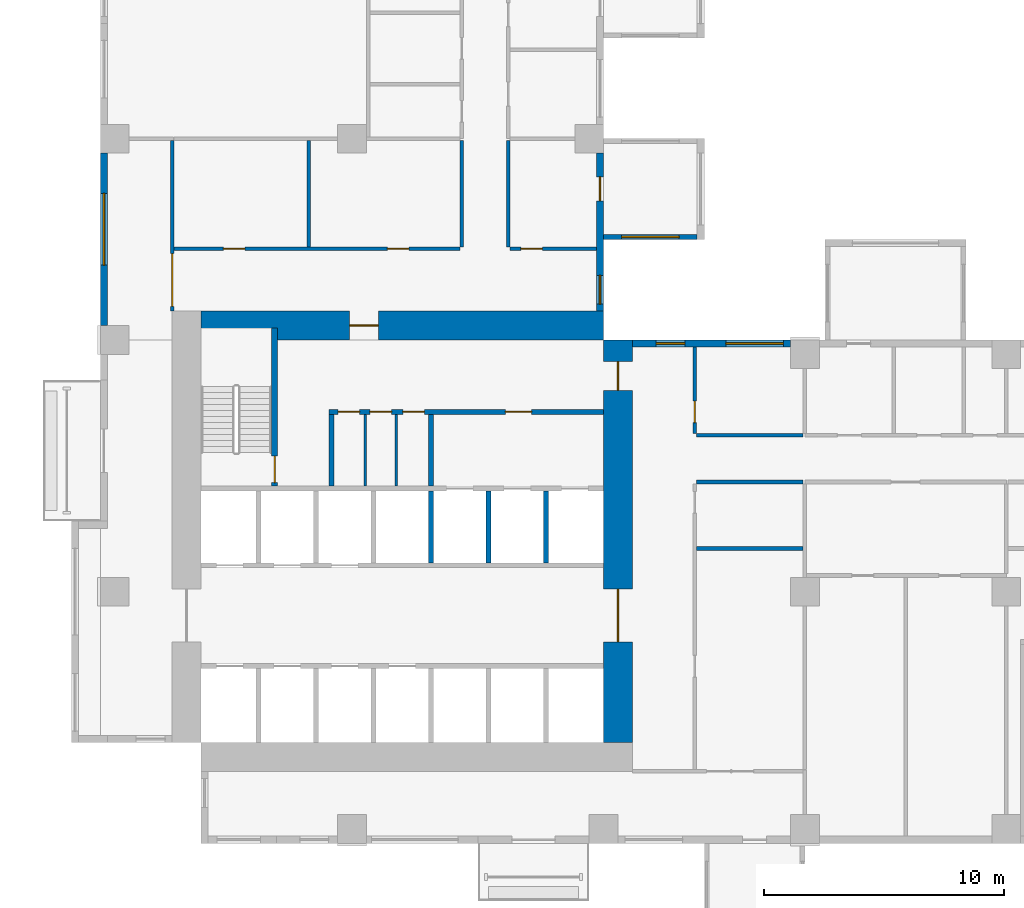
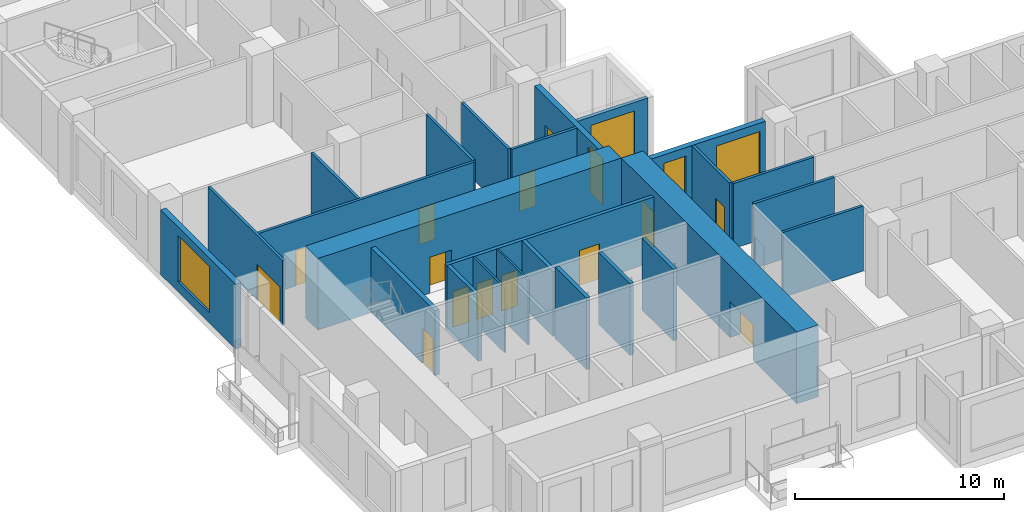
# One storey, part 3 of 15: 25 walls, 14 doors, 5 windows, 19 openings.
"""IFC4 building model written with IfcOpenShell, lengths in metres."""

from ifc_helpers import new_model, si_unit, direction, frame, frame_2d, origin, place, context, subcontext, project, spatial, rectangle, extrude, source, transform, mapped, material, layer, layer_set, type_object, element, fill, save


model = new_model("IFC4")

# Units and contexts
model_context = context("Model", 3, precision=1e-05, world=origin(), true_north=direction((0.0, 1.0)))
body_context = subcontext(model_context, "Body", "Model", "MODEL_VIEW")
ifc_project = project(units=[si_unit("LENGTHUNIT", "METRE"), si_unit("AREAUNIT", "SQUARE_METRE"), si_unit("VOLUMEUNIT", "CUBIC_METRE"), si_unit("PLANEANGLEUNIT", "RADIAN"), si_unit("MASSUNIT", "GRAM", prefix="KILO")], contexts=[model_context])

# Site, building, storey
site_placement = place(None, origin())
site = spatial("IfcSite", under=ifc_project, at=site_placement, CompositionType="ELEMENT")
building_placement = place(site_placement, origin())
building = spatial("IfcBuilding", under=site, at=building_placement, Name="Aurelian Terraces", CompositionType="ELEMENT")
storey_placement = place(building_placement, frame((0.0, 0.0, 65.7)))
storey = spatial("IfcBuildingStorey", under=building, at=storey_placement, Name="L13", CompositionType="ELEMENT", Elevation=65.7)

# Wall
ifc_material_1 = material(Name="Gypsum board on steel studs", Category="steel")
ifc_layer_1 = layer(ifc_material_1, 0.15)
ifc_layer_set_1 = layer_set([ifc_layer_1], Name="Partition 150")
wall_type_1 = type_object("IfcWallType", Name="Partition 150", PredefinedType="PARTITIONING", material=ifc_layer_set_1)
wall_1_placement = place(storey_placement, frame((29.325, 12.3, 0.0), z_axis=(0.0, 0.0, 1.0), x_axis=(-1.0, 0.0, 0.0)))
element("IfcWall", 1, at=wall_1_placement, inside=storey, type_object=wall_type_1, Name="Partition", PredefinedType="PARTITIONING", context=body_context, shape_type="SweptSolid", body=[
    extrude(rectangle(XDim=4.45, YDim=0.15, at=frame_2d((2.225, 0.0))), origin(), (0.0, 0.0, 1.0), 3.8),
])

# Wall, openings, doors
ifc_material_2 = material(Name="Concrete fc' 83 MPa", Category="concrete")
ifc_layer_2 = layer(ifc_material_2, 1.2)
ifc_layer_set_2 = layer_set([ifc_layer_2], Name="CORE WALL 1200 FC83")
wall_type_2 = type_object("IfcWallType", Name="CORE WALL 1200 FC83", PredefinedType="SHEAR", material=ifc_layer_set_2)
shared_shape_1 = source(origin(), body_context, "Body", "SweptSolid", [
    extrude(rectangle(XDim=16.8, YDim=1.2, at=frame_2d((8.4, 0.0))), origin(), (0.0, 0.0, 1.0), 4.2),
])
wall_2_placement = place(storey_placement, frame((21.6, 4.2, 0.0), z_axis=(0.0, 0.0, 1.0), x_axis=(0.0, 1.0, 0.0)))
wall_2 = element("IfcWall", 2, at=wall_2_placement, inside=storey, type_object=wall_type_2, Name="Core wall E L13", PredefinedType="SHEAR", context=body_context, shape_type="MappedRepresentation", body=[
    mapped(shared_shape_1, transform((0.0, 0.0, 0.0), scale=1.0)),
])
shared_shape_2 = source(origin(), body_context, "Body", "SweptSolid", [
    extrude(rectangle(XDim=2.2, YDim=2.1, at=frame_2d((1.1, 1.05))), frame((0.0, 0.61, 0.0), z_axis=(0.0, -1.0, 0.0), x_axis=(1.0, 0.0, 0.0)), (0.0, 0.0, 1.0), 1.22),
])
opening_1_placement = place(wall_2_placement, frame((4.2, 0.0, 0.0)))
opening_1 = element("IfcOpeningElement", 3, at=opening_1_placement, cuts=wall_2, Name="Opening 61621", PredefinedType="OPENING", context=body_context, shape_type="MappedRepresentation", body=[
    mapped(shared_shape_2, transform((0.0, 0.0, 0.0), scale=1.0)),
])
shared_shape_3 = source(origin(), body_context, "Body", "SweptSolid", [
    extrude(rectangle(XDim=1.2, YDim=2.1, at=frame_2d((0.6, 1.05))), frame((0.0, 0.61, 0.0), z_axis=(0.0, -1.0, 0.0), x_axis=(1.0, 0.0, 0.0)), (0.0, 0.0, 1.0), 1.22),
])
opening_2_placement = place(wall_2_placement, frame((14.7, 0.0, 0.0)))
opening_2 = element("IfcOpeningElement", 4, at=opening_2_placement, cuts=wall_2, Name="Opening 61624", PredefinedType="OPENING", context=body_context, shape_type="MappedRepresentation", body=[
    mapped(shared_shape_3, transform((0.0, 0.0, 0.0), scale=1.0)),
])
ifc_material_3 = material(Name="Steel door leaf", Category="steel")
door_type_1 = type_object("IfcDoorType", Name="Core fire door 1200x2100 right", OperationType="SINGLE_SWING_RIGHT", PredefinedType="DOOR", material=ifc_material_3)
shared_shape_4 = source(origin(), body_context, "Body", "SweptSolid", [
    extrude(rectangle(XDim=1.2, YDim=2.1, at=frame_2d((0.6, 1.05))), frame((0.0, 0.025, 0.0), z_axis=(0.0, -1.0, 0.0), x_axis=(1.0, 0.0, 0.0)), (0.0, 0.0, 1.0), 0.05),
])
door_1_placement = place(opening_2_placement, origin())
door_1 = element("IfcDoor", 5, at=door_1_placement, inside=storey, type_object=door_type_1, Name="Core door 61624", OperationType="SINGLE_SWING_RIGHT", OverallHeight=2.1, OverallWidth=1.2, PredefinedType="DOOR", context=body_context, shape_type="MappedRepresentation", body=[
    mapped(shared_shape_4, transform((0.0, 0.0, 0.0), scale=1.0)),
])
fill(opening_2, door_1)
door_type_2 = type_object("IfcDoorType", Name="Core double door 2200x2100", OperationType="DOUBLE_DOOR_SINGLE_SWING", PredefinedType="DOOR", material=ifc_material_3)
shared_shape_5 = source(origin(), body_context, "Body", "SweptSolid", [
    extrude(rectangle(XDim=2.2, YDim=2.1, at=frame_2d((1.1, 1.05))), frame((0.0, 0.025, 0.0), z_axis=(0.0, -1.0, 0.0), x_axis=(1.0, 0.0, 0.0)), (0.0, 0.0, 1.0), 0.05),
])
door_2_placement = place(opening_1_placement, origin())
door_2 = element("IfcDoor", 6, at=door_2_placement, inside=storey, type_object=door_type_2, Name="Core door 61621", OperationType="DOUBLE_DOOR_SINGLE_SWING", OverallHeight=2.1, OverallWidth=2.2, PredefinedType="DOOR", context=body_context, shape_type="MappedRepresentation", body=[
    mapped(shared_shape_5, transform((0.0, 0.0, 0.0), scale=1.0)),
])
fill(opening_1, door_2)

# Wall, opening, door
wall_3_placement = place(storey_placement, frame((4.2, 21.6, 0.0), z_axis=(0.0, 0.0, 1.0), x_axis=(1.0, 0.0, 0.0)))
wall_3 = element("IfcWall", 7, at=wall_3_placement, inside=storey, type_object=wall_type_2, Name="Core wall N L13", PredefinedType="SHEAR", context=body_context, shape_type="MappedRepresentation", body=[
    mapped(shared_shape_1, transform((0.0, 0.0, 0.0), scale=1.0)),
])
opening_3_placement = place(wall_3_placement, frame((6.2, 0.0, 0.0)))
opening_3 = element("IfcOpeningElement", 8, at=opening_3_placement, cuts=wall_3, Name="Opening 61623", PredefinedType="OPENING", context=body_context, shape_type="MappedRepresentation", body=[
    mapped(shared_shape_3, transform((0.0, 0.0, 0.0), scale=1.0)),
])
door_type_3 = type_object("IfcDoorType", Name="Core fire door 1200x2100", OperationType="SINGLE_SWING_LEFT", PredefinedType="DOOR", material=ifc_material_3)
door_3_placement = place(opening_3_placement, origin())
door_3 = element("IfcDoor", 9, at=door_3_placement, inside=storey, type_object=door_type_3, Name="Core door 61623", OperationType="SINGLE_SWING_LEFT", OverallHeight=2.1, OverallWidth=1.2, PredefinedType="DOOR", context=body_context, shape_type="MappedRepresentation", body=[
    mapped(shared_shape_4, transform((0.0, 0.0, 0.0), scale=1.0)),
])
fill(opening_3, door_3)

# Wall, opening, window
ifc_material_4 = material(Name="Terracotta rainscreen cladding", Category="masonry")
ifc_layer_3 = layer(ifc_material_4, 0.3)
ifc_layer_set_3 = layer_set([ifc_layer_3], Name="EW-300")
wall_type_3 = type_object("IfcWallType", Name="EW-300", PredefinedType="STANDARD", material=ifc_layer_set_3)
shared_shape_6 = source(origin(), body_context, "Body", "SweptSolid", [
    extrude(rectangle(XDim=7.2, YDim=0.3, at=frame_2d((3.6, 0.0))), origin(), (0.0, 0.0, 1.0), 3.8),
])
wall_4_placement = place(storey_placement, frame((0.15, 28.8, 0.0), z_axis=(0.0, 0.0, 1.0), x_axis=(0.0, -1.0, 0.0)))
wall_4 = element("IfcWall", 10, at=wall_4_placement, inside=storey, type_object=wall_type_3, Name="External wall L13 F14.38", PredefinedType="STANDARD", context=body_context, shape_type="MappedRepresentation", body=[
    mapped(shared_shape_6, transform((0.0, 0.0, 0.0), scale=1.0)),
])
shared_shape_7 = source(origin(), body_context, "Body", "SweptSolid", [
    extrude(rectangle(XDim=3.0, YDim=2.7, at=frame_2d((1.5, 1.35))), frame((0.0, 0.16, 0.0), z_axis=(0.0, -1.0, 0.0), x_axis=(1.0, 0.0, 0.0)), (0.0, 0.0, 1.0), 0.32),
])
opening_4_placement = place(wall_4_placement, frame((1.68, 0.0, 0.6)))
opening_4 = element("IfcOpeningElement", 11, at=opening_4_placement, cuts=wall_4, Name="Opening W3027", PredefinedType="OPENING", context=body_context, shape_type="MappedRepresentation", body=[
    mapped(shared_shape_7, transform((0.0, 0.0, 0.0), scale=1.0)),
])
ifc_material_5 = material(Name="Clear glazing", Category="glass")
window_type_1 = type_object("IfcWindowType", Name="W-3000x2700", PartitioningType="SINGLE_PANEL", PredefinedType="WINDOW", material=ifc_material_5)
shared_shape_8 = source(origin(), body_context, "Body", "SweptSolid", [
    extrude(rectangle(XDim=3.0, YDim=2.7, at=frame_2d((1.5, 1.35))), frame((0.0, 0.03, 0.0), z_axis=(0.0, -1.0, 0.0), x_axis=(1.0, 0.0, 0.0)), (0.0, 0.0, 1.0), 0.06),
])
window_1_placement = place(opening_4_placement, origin())
window_1 = element("IfcWindow", 12, at=window_1_placement, inside=storey, type_object=window_type_1, Name="Window L13 L13-F14-38-8", OverallHeight=2.7, OverallWidth=3.0, PartitioningType="SINGLE_PANEL", PredefinedType="WINDOW", context=body_context, shape_type="MappedRepresentation", body=[
    mapped(shared_shape_8, transform((0.0, 0.0, 0.0), scale=1.0)),
])
fill(opening_4, window_1)

ifc_material_6 = material(Name="Concrete fc' 40 MPa", Category="concrete")
ifc_layer_4 = layer(ifc_material_6, 0.2)
ifc_layer_set_4 = layer_set([ifc_layer_4], Name="BOX BEARING WALL 200")
wall_type_4 = type_object("IfcWallType", Name="BOX BEARING WALL 200", PredefinedType="SOLIDWALL", material=ifc_layer_set_4)
shared_shape_9 = source(origin(), body_context, "Body", "SweptSolid", [
    extrude(rectangle(XDim=3.9, YDim=0.2, at=frame_2d((1.95, 0.0))), origin(), (0.0, 0.0, 1.0), 3.8),
])
wall_5_placement = place(storey_placement, frame((21.0, 25.3, 0.0), z_axis=(0.0, 0.0, 1.0), x_axis=(1.0, 0.0, 0.0)))
wall_5 = element("IfcWall", 13, at=wall_5_placement, inside=storey, type_object=wall_type_4, Name="Box return L13 J11.1", PredefinedType="SOLIDWALL", context=body_context, shape_type="MappedRepresentation", body=[
    mapped(shared_shape_9, transform((0.0, 0.0, 0.0), scale=1.0)),
])
shared_shape_10 = source(origin(), body_context, "Body", "SweptSolid", [
    extrude(rectangle(XDim=2.4, YDim=2.7, at=frame_2d((1.2, 1.35))), frame((0.0, 0.11, 0.0), z_axis=(0.0, -1.0, 0.0), x_axis=(1.0, 0.0, 0.0)), (0.0, 0.0, 1.0), 0.22),
])
opening_5_placement = place(wall_5_placement, frame((0.75, 0.0, 0.6)))
opening_5 = element("IfcOpeningElement", 14, at=opening_5_placement, cuts=wall_5, Name="Opening W2427", PredefinedType="OPENING", context=body_context, shape_type="MappedRepresentation", body=[
    mapped(shared_shape_10, transform((0.0, 0.0, 0.0), scale=1.0)),
])
window_type_2 = type_object("IfcWindowType", Name="W-2400x2700", PartitioningType="SINGLE_PANEL", PredefinedType="WINDOW", material=ifc_material_5)
shared_shape_11 = source(origin(), body_context, "Body", "SweptSolid", [
    extrude(rectangle(XDim=2.4, YDim=2.7, at=frame_2d((1.2, 1.35))), frame((0.0, 0.03, 0.0), z_axis=(0.0, -1.0, 0.0), x_axis=(1.0, 0.0, 0.0)), (0.0, 0.0, 1.0), 0.06),
])
window_2_placement = place(opening_5_placement, origin())
window_2 = element("IfcWindow", 15, at=window_2_placement, inside=storey, type_object=window_type_2, Name="Window L13 J11-S1", OverallHeight=2.7, OverallWidth=2.4, PartitioningType="SINGLE_PANEL", PredefinedType="WINDOW", context=body_context, shape_type="MappedRepresentation", body=[
    mapped(shared_shape_11, transform((0.0, 0.0, 0.0), scale=1.0)),
])
fill(opening_5, window_2)

# Wall, openings, windows
shared_shape_12 = source(origin(), body_context, "Body", "SweptSolid", [
    extrude(rectangle(XDim=6.6, YDim=0.3, at=frame_2d((3.3, 0.0))), origin(), (0.0, 0.0, 1.0), 3.8),
])
wall_6_placement = place(storey_placement, frame((28.8, 20.85, 0.0), z_axis=(0.0, 0.0, 1.0), x_axis=(-1.0, 0.0, 0.0)))
wall_6 = element("IfcWall", 16, at=wall_6_placement, inside=storey, type_object=wall_type_3, Name="External wall L13 F07.23", PredefinedType="STANDARD", context=body_context, shape_type="MappedRepresentation", body=[
    mapped(shared_shape_12, transform((0.0, 0.0, 0.0), scale=1.0)),
])
shared_shape_13 = source(origin(), body_context, "Body", "SweptSolid", [
    extrude(rectangle(XDim=2.4, YDim=2.7, at=frame_2d((1.2, 1.35))), frame((0.0, 0.16, 0.0), z_axis=(0.0, -1.0, 0.0), x_axis=(1.0, 0.0, 0.0)), (0.0, 0.0, 1.0), 0.32),
])
opening_6_placement = place(wall_6_placement, frame((0.3, 0.0, 0.6)))
opening_6 = element("IfcOpeningElement", 17, at=opening_6_placement, cuts=wall_6, Name="Opening W2427", PredefinedType="OPENING", context=body_context, shape_type="MappedRepresentation", body=[
    mapped(shared_shape_13, transform((0.0, 0.0, 0.0), scale=1.0)),
])
shared_shape_14 = source(origin(), body_context, "Body", "SweptSolid", [
    extrude(rectangle(XDim=1.2, YDim=2.7, at=frame_2d((0.6, 1.35))), frame((0.0, 0.16, 0.0), z_axis=(0.0, -1.0, 0.0), x_axis=(1.0, 0.0, 0.0)), (0.0, 0.0, 1.0), 0.32),
])
opening_7_placement = place(wall_6_placement, frame((4.4125, 0.0, 0.6)))
opening_7 = element("IfcOpeningElement", 18, at=opening_7_placement, cuts=wall_6, Name="Opening W1227", PredefinedType="OPENING", context=body_context, shape_type="MappedRepresentation", body=[
    mapped(shared_shape_14, transform((0.0, 0.0, 0.0), scale=1.0)),
])
window_3_placement = place(opening_6_placement, origin())
window_3 = element("IfcWindow", 19, at=window_3_placement, inside=storey, type_object=window_type_2, Name="Window L13 L13-F07-23-3", OverallHeight=2.7, OverallWidth=2.4, PartitioningType="SINGLE_PANEL", PredefinedType="WINDOW", context=body_context, shape_type="MappedRepresentation", body=[
    mapped(shared_shape_11, transform((0.0, 0.0, 0.0), scale=1.0)),
])
fill(opening_6, window_3)
window_type_3 = type_object("IfcWindowType", Name="W-1200x2700", PartitioningType="SINGLE_PANEL", PredefinedType="WINDOW", material=ifc_material_5)
shared_shape_15 = source(origin(), body_context, "Body", "SweptSolid", [
    extrude(rectangle(XDim=1.2, YDim=2.7, at=frame_2d((0.6, 1.35))), frame((0.0, 0.03, 0.0), z_axis=(0.0, -1.0, 0.0), x_axis=(1.0, 0.0, 0.0)), (0.0, 0.0, 1.0), 0.06),
])
window_4_placement = place(opening_7_placement, origin())
window_4 = element("IfcWindow", 20, at=window_4_placement, inside=storey, type_object=window_type_3, Name="Window L13 L13-F07-23-G2-201", OverallHeight=2.7, OverallWidth=1.2, PartitioningType="SINGLE_PANEL", PredefinedType="WINDOW", context=body_context, shape_type="MappedRepresentation", body=[
    mapped(shared_shape_15, transform((0.0, 0.0, 0.0), scale=1.0)),
])
fill(opening_7, window_4)

# Wall, openings, window, door
wall_7_placement = place(storey_placement, frame((20.85, 22.2, 0.0), z_axis=(0.0, 0.0, 1.0), x_axis=(0.0, 1.0, 0.0)))
wall_7 = element("IfcWall", 21, at=wall_7_placement, inside=storey, type_object=wall_type_3, Name="External wall L13 F08.24", PredefinedType="STANDARD", context=body_context, shape_type="MappedRepresentation", body=[
    mapped(shared_shape_12, transform((0.0, 0.0, 0.0), scale=1.0)),
])
opening_8_placement = place(wall_7_placement, frame((0.3, 0.0, 0.6)))
opening_8 = element("IfcOpeningElement", 22, at=opening_8_placement, cuts=wall_7, Name="Opening W1227", PredefinedType="OPENING", context=body_context, shape_type="MappedRepresentation", body=[
    mapped(shared_shape_14, transform((0.0, 0.0, 0.0), scale=1.0)),
])
shared_shape_16 = source(origin(), body_context, "Body", "SweptSolid", [
    extrude(rectangle(XDim=1.0, YDim=2.1, at=frame_2d((0.5, 1.05))), frame((0.0, 0.16, 0.0), z_axis=(0.0, -1.0, 0.0), x_axis=(1.0, 0.0, 0.0)), (0.0, 0.0, 1.0), 0.32),
])
opening_9_placement = place(wall_7_placement, frame((4.6, 0.0, 0.0)))
opening_9 = element("IfcOpeningElement", 23, at=opening_9_placement, cuts=wall_7, Name="Opening 813001", PredefinedType="OPENING", context=body_context, shape_type="MappedRepresentation", body=[
    mapped(shared_shape_16, transform((0.0, 0.0, 0.0), scale=1.0)),
])
window_5_placement = place(opening_8_placement, origin())
window_5 = element("IfcWindow", 24, at=window_5_placement, inside=storey, type_object=window_type_3, Name="Window L13 L13-F08-24-0", OverallHeight=2.7, OverallWidth=1.2, PartitioningType="SINGLE_PANEL", PredefinedType="WINDOW", context=body_context, shape_type="MappedRepresentation", body=[
    mapped(shared_shape_15, transform((0.0, 0.0, 0.0), scale=1.0)),
])
fill(opening_8, window_5)
ifc_material_7 = material(Name="Timber door leaf", Category="wood")
door_type_4 = type_object("IfcDoorType", Name="Room door 1000x2100 left", OperationType="SINGLE_SWING_LEFT", PredefinedType="DOOR", material=ifc_material_7)
shared_shape_17 = source(origin(), body_context, "Body", "SweptSolid", [
    extrude(rectangle(XDim=1.0, YDim=2.1, at=frame_2d((0.5, 1.05))), frame((0.0, 0.025, 0.0), z_axis=(0.0, -1.0, 0.0), x_axis=(1.0, 0.0, 0.0)), (0.0, 0.0, 1.0), 0.05),
])
door_4_placement = place(opening_9_placement, origin())
door_4 = element("IfcDoor", 25, at=door_4_placement, inside=storey, type_object=door_type_4, Name="Door 813001", OperationType="SINGLE_SWING_LEFT", OverallHeight=2.1, OverallWidth=1.0, PredefinedType="DOOR", context=body_context, shape_type="MappedRepresentation", body=[
    mapped(shared_shape_17, transform((0.0, 0.0, 0.0), scale=1.0)),
])
fill(opening_9, door_4)

# Walls
ifc_layer_5 = layer(ifc_material_6, 0.2)
ifc_layer_set_5 = layer_set([ifc_layer_5], Name="Lift shaft wall 200")
wall_type_5 = type_object("IfcWallType", Name="Lift shaft wall 200", PredefinedType="SOLIDWALL", material=ifc_layer_set_5)
shared_shape_18 = source(origin(), body_context, "Body", "SweptSolid", [
    extrude(rectangle(XDim=3.0, YDim=0.2, at=frame_2d((1.5, 0.0))), origin(), (0.0, 0.0, 1.0), 4.2),
])
for number, where, z_axis, x_axis, name in (
    (26, (13.8, 11.7, 0.0), (0.0, 0.0, 1.0), (0.0, 1.0, 0.0), "L13 core wall CD-B4"),
    (27, (16.2, 11.7, 0.0), (0.0, 0.0, 1.0), (0.0, 1.0, 0.0), "L13 core wall CD-B5"),
    (28, (18.6, 11.7, 0.0), (0.0, 0.0, 1.0), (0.0, 1.0, 0.0), "L13 core wall CD-B6"),
):
    element("IfcWall", number, at=place(storey_placement, frame(where, z_axis=z_axis, x_axis=x_axis)), inside=storey, type_object=wall_type_5, Name=name, PredefinedType="SOLIDWALL", context=body_context, shape_type="MappedRepresentation", body=[
        mapped(shared_shape_18, transform((0.0, 0.0, 0.0), scale=1.0)),
    ])
ifc_layer_6 = layer(ifc_material_1, 0.2)
ifc_layer_set_6 = layer_set([ifc_layer_6], Name="Core partition 200")
wall_type_6 = type_object("IfcWallType", Name="Core partition 200", PredefinedType="PARTITIONING", material=ifc_layer_set_6)
shared_shape_19 = source(origin(), body_context, "Body", "SweptSolid", [
    extrude(rectangle(XDim=3.0, YDim=0.2, at=frame_2d((1.5, 0.0))), origin(), (0.0, 0.0, 1.0), 3.8),
])
for number, where, z_axis, x_axis, name in (
    (29, (9.65, 14.9, 0.0), (0.0, 0.0, 1.0), (0.0, 1.0, 0.0), "L13 core wall CP-VEST"),
    (30, (13.8, 14.9, 0.0), (0.0, 0.0, 1.0), (0.0, 1.0, 0.0), "L13 core wall CP-FFL"),
):
    element("IfcWall", number, at=place(storey_placement, frame(where, z_axis=z_axis, x_axis=x_axis)), inside=storey, type_object=wall_type_6, Name=name, PredefinedType="PARTITIONING", context=body_context, shape_type="MappedRepresentation", body=[
        mapped(shared_shape_19, transform((0.0, 0.0, 0.0), scale=1.0)),
    ])
ifc_layer_7 = layer(ifc_material_1, 0.1)
ifc_layer_set_7 = layer_set([ifc_layer_7], Name="Core partition 100")
wall_type_7 = type_object("IfcWallType", Name="Core partition 100", PredefinedType="PARTITIONING", material=ifc_layer_set_7)
shared_shape_20 = source(origin(), body_context, "Body", "SweptSolid", [
    extrude(rectangle(XDim=3.0, YDim=0.1, at=frame_2d((1.5, 0.0))), origin(), (0.0, 0.0, 1.0), 3.8),
])
for number, where, z_axis, x_axis, name in (
    (31, (11.05, 14.9, 0.0), (0.0, 0.0, 1.0), (0.0, 1.0, 0.0), "L13 core wall CP-SV1"),
    (32, (12.35, 14.9, 0.0), (0.0, 0.0, 1.0), (0.0, 1.0, 0.0), "L13 core wall CP-SV2"),
):
    element("IfcWall", number, at=place(storey_placement, frame(where, z_axis=z_axis, x_axis=x_axis)), inside=storey, type_object=wall_type_7, Name=name, PredefinedType="PARTITIONING", context=body_context, shape_type="MappedRepresentation", body=[
        mapped(shared_shape_20, transform((0.0, 0.0, 0.0), scale=1.0)),
    ])

# Wall, opening, door
ifc_layer_8 = layer(ifc_material_6, 0.25)
ifc_layer_set_8 = layer_set([ifc_layer_8], Name="Stair enclosure wall 250")
wall_type_8 = type_object("IfcWallType", Name="Stair enclosure wall 250", PredefinedType="SOLIDWALL", material=ifc_layer_set_8)
shared_shape_21 = source(origin(), body_context, "Body", "SweptSolid", [
    extrude(rectangle(XDim=6.6, YDim=0.25, at=frame_2d((3.3, 0.0))), origin(), (0.0, 0.0, 1.0), 3.8),
])
wall_8_placement = place(storey_placement, frame((7.275, 14.9, 0.0), z_axis=(0.0, 0.0, 1.0), x_axis=(0.0, 1.0, 0.0)))
wall_8 = element("IfcWall", 33, at=wall_8_placement, inside=storey, type_object=wall_type_8, Name="L13 core wall ST-S1-E", PredefinedType="SOLIDWALL", context=body_context, shape_type="MappedRepresentation", body=[
    mapped(shared_shape_21, transform((0.0, 0.0, 0.0), scale=1.0)),
])
shared_shape_22 = source(origin(), body_context, "Body", "SweptSolid", [
    extrude(rectangle(XDim=1.1, YDim=2.1, at=frame_2d((0.55, 1.05))), frame((0.0, 0.135, 0.0), z_axis=(0.0, -1.0, 0.0), x_axis=(1.0, 0.0, 0.0)), (0.0, 0.0, 1.0), 0.27),
])
opening_10_placement = place(wall_8_placement, frame((0.15, 0.0, 0.0)))
opening_10 = element("IfcOpeningElement", 34, at=opening_10_placement, cuts=wall_8, Name="Opening 61610", PredefinedType="OPENING", context=body_context, shape_type="MappedRepresentation", body=[
    mapped(shared_shape_22, transform((0.0, 0.0, 0.0), scale=1.0)),
])
door_type_5 = type_object("IfcDoorType", Name="Core fire door 1100x2100", OperationType="SINGLE_SWING_LEFT", PredefinedType="DOOR", material=ifc_material_3)
shared_shape_23 = source(origin(), body_context, "Body", "SweptSolid", [
    extrude(rectangle(XDim=1.1, YDim=2.1, at=frame_2d((0.55, 1.05))), frame((0.0, 0.025, 0.0), z_axis=(0.0, -1.0, 0.0), x_axis=(1.0, 0.0, 0.0)), (0.0, 0.0, 1.0), 0.05),
])
door_5_placement = place(opening_10_placement, origin())
door_5 = element("IfcDoor", 35, at=door_5_placement, inside=storey, type_object=door_type_5, Name="Stair door 61610", OperationType="SINGLE_SWING_LEFT", OverallHeight=2.1, OverallWidth=1.1, PredefinedType="DOOR", context=body_context, shape_type="MappedRepresentation", body=[
    mapped(shared_shape_23, transform((0.0, 0.0, 0.0), scale=1.0)),
])
fill(opening_10, door_5)

# Wall, openings, doors
shared_shape_24 = source(origin(), body_context, "Body", "SweptSolid", [
    extrude(rectangle(XDim=11.45, YDim=0.2, at=frame_2d((5.725, 0.0))), origin(), (0.0, 0.0, 1.0), 3.8),
])
wall_9_placement = place(storey_placement, frame((9.55, 18.0, 0.0), z_axis=(0.0, 0.0, 1.0), x_axis=(1.0, 0.0, 0.0)))
wall_9 = element("IfcWall", 36, at=wall_9_placement, inside=storey, type_object=wall_type_6, Name="L13 core wall CP-NORTH", PredefinedType="PARTITIONING", context=body_context, shape_type="MappedRepresentation", body=[
    mapped(shared_shape_24, transform((0.0, 0.0, 0.0), scale=1.0)),
])
shared_shape_25 = source(origin(), body_context, "Body", "SweptSolid", [
    extrude(rectangle(XDim=0.9, YDim=2.1, at=frame_2d((0.45, 1.05))), frame((0.0, 0.11, 0.0), z_axis=(0.0, -1.0, 0.0), x_axis=(1.0, 0.0, 0.0)), (0.0, 0.0, 1.0), 0.22),
])
opening_11_placement = place(wall_9_placement, frame((0.375, 0.0, 0.0)))
opening_11 = element("IfcOpeningElement", 37, at=opening_11_placement, cuts=wall_9, Name="Opening 61611", PredefinedType="OPENING", context=body_context, shape_type="MappedRepresentation", body=[
    mapped(shared_shape_25, transform((0.0, 0.0, 0.0), scale=1.0)),
])
opening_12_placement = place(wall_9_placement, frame((1.7, 0.0, 0.0)))
opening_12 = element("IfcOpeningElement", 38, at=opening_12_placement, cuts=wall_9, Name="Opening 61612", PredefinedType="OPENING", context=body_context, shape_type="MappedRepresentation", body=[
    mapped(shared_shape_25, transform((0.0, 0.0, 0.0), scale=1.0)),
])
opening_13_placement = place(wall_9_placement, frame((3.075, 0.0, 0.0)))
opening_13 = element("IfcOpeningElement", 39, at=opening_13_placement, cuts=wall_9, Name="Opening 61613", PredefinedType="OPENING", context=body_context, shape_type="MappedRepresentation", body=[
    mapped(shared_shape_25, transform((0.0, 0.0, 0.0), scale=1.0)),
])
shared_shape_26 = source(origin(), body_context, "Body", "SweptSolid", [
    extrude(rectangle(XDim=1.1, YDim=2.1, at=frame_2d((0.55, 1.05))), frame((0.0, 0.11, 0.0), z_axis=(0.0, -1.0, 0.0), x_axis=(1.0, 0.0, 0.0)), (0.0, 0.0, 1.0), 0.22),
])
opening_14_placement = place(wall_9_placement, frame((7.35, 0.0, 0.0)))
opening_14 = element("IfcOpeningElement", 40, at=opening_14_placement, cuts=wall_9, Name="Opening 61614", PredefinedType="OPENING", context=body_context, shape_type="MappedRepresentation", body=[
    mapped(shared_shape_26, transform((0.0, 0.0, 0.0), scale=1.0)),
])
door_type_6 = type_object("IfcDoorType", Name="Core riser door 900x2100 right", OperationType="SINGLE_SWING_RIGHT", PredefinedType="DOOR", material=ifc_material_3)
shared_shape_27 = source(origin(), body_context, "Body", "SweptSolid", [
    extrude(rectangle(XDim=0.9, YDim=2.1, at=frame_2d((0.45, 1.05))), frame((0.0, 0.025, 0.0), z_axis=(0.0, -1.0, 0.0), x_axis=(1.0, 0.0, 0.0)), (0.0, 0.0, 1.0), 0.05),
])
door_6_placement = place(opening_11_placement, origin())
door_6 = element("IfcDoor", 41, at=door_6_placement, inside=storey, type_object=door_type_6, Name="Room door 61611", OperationType="SINGLE_SWING_RIGHT", OverallHeight=2.1, OverallWidth=0.9, PredefinedType="DOOR", context=body_context, shape_type="MappedRepresentation", body=[
    mapped(shared_shape_27, transform((0.0, 0.0, 0.0), scale=1.0)),
])
fill(opening_11, door_6)
door_type_7 = type_object("IfcDoorType", Name="Core service door 900x2100", OperationType="SINGLE_SWING_LEFT", PredefinedType="DOOR", material=ifc_material_3)
door_7_placement = place(opening_12_placement, origin())
door_7 = element("IfcDoor", 42, at=door_7_placement, inside=storey, type_object=door_type_7, Name="Room door 61612", OperationType="SINGLE_SWING_LEFT", OverallHeight=2.1, OverallWidth=0.9, PredefinedType="DOOR", context=body_context, shape_type="MappedRepresentation", body=[
    mapped(shared_shape_27, transform((0.0, 0.0, 0.0), scale=1.0)),
])
fill(opening_12, door_7)
door_type_8 = type_object("IfcDoorType", Name="Core service door 900x2100 right", OperationType="SINGLE_SWING_RIGHT", PredefinedType="DOOR", material=ifc_material_3)
door_8_placement = place(opening_13_placement, origin())
door_8 = element("IfcDoor", 43, at=door_8_placement, inside=storey, type_object=door_type_8, Name="Room door 61613", OperationType="SINGLE_SWING_RIGHT", OverallHeight=2.1, OverallWidth=0.9, PredefinedType="DOOR", context=body_context, shape_type="MappedRepresentation", body=[
    mapped(shared_shape_27, transform((0.0, 0.0, 0.0), scale=1.0)),
])
fill(opening_13, door_8)
door_9_placement = place(opening_14_placement, origin())
door_9 = element("IfcDoor", 44, at=door_9_placement, inside=storey, type_object=door_type_5, Name="Ff lobby door 61614", OperationType="SINGLE_SWING_LEFT", OverallHeight=2.1, OverallWidth=1.1, PredefinedType="DOOR", context=body_context, shape_type="MappedRepresentation", body=[
    mapped(shared_shape_23, transform((0.0, 0.0, 0.0), scale=1.0)),
])
fill(opening_14, door_9)

# Wall, opening, door
shared_shape_28 = source(origin(), body_context, "Body", "SweptSolid", [
    extrude(rectangle(XDim=3.6, YDim=0.15, at=frame_2d((1.8, 0.0))), origin(), (0.0, 0.0, 1.0), 3.8),
])
wall_10_placement = place(storey_placement, frame((24.8, 20.7, 0.0), z_axis=(0.0, 0.0, 1.0), x_axis=(0.0, -1.0, 0.0)))
wall_10 = element("IfcWall", 45, at=wall_10_placement, inside=storey, type_object=wall_type_1, Name="Partition", PredefinedType="PARTITIONING", context=body_context, shape_type="MappedRepresentation", body=[
    mapped(shared_shape_28, transform((0.0, 0.0, 0.0), scale=1.0)),
])
shared_shape_29 = source(origin(), body_context, "Body", "SweptSolid", [
    extrude(rectangle(XDim=0.9, YDim=2.1, at=frame_2d((0.45, 1.05))), frame((0.0, 0.085, 0.0), z_axis=(0.0, -1.0, 0.0), x_axis=(1.0, 0.0, 0.0)), (0.0, 0.0, 1.0), 0.17),
])
opening_15_placement = place(wall_10_placement, frame((2.25, 0.0, 0.0)))
opening_15 = element("IfcOpeningElement", 46, at=opening_15_placement, cuts=wall_10, Name="Opening 713003", PredefinedType="OPENING", context=body_context, shape_type="MappedRepresentation", body=[
    mapped(shared_shape_29, transform((0.0, 0.0, 0.0), scale=1.0)),
])
door_type_9 = type_object("IfcDoorType", Name="Room door 900x2100 right", OperationType="SINGLE_SWING_RIGHT", PredefinedType="DOOR", material=ifc_material_7)
door_10_placement = place(opening_15_placement, origin())
door_10 = element("IfcDoor", 47, at=door_10_placement, inside=storey, type_object=door_type_9, Name="Door 713003", OperationType="SINGLE_SWING_RIGHT", OverallHeight=2.1, OverallWidth=0.9, PredefinedType="DOOR", context=body_context, shape_type="MappedRepresentation", body=[
    mapped(shared_shape_27, transform((0.0, 0.0, 0.0), scale=1.0)),
])
fill(opening_15, door_10)

wall_11_placement = place(storey_placement, frame((17.1, 24.8, 0.0), z_axis=(0.0, 0.0, 1.0), x_axis=(1.0, 0.0, 0.0)))
wall_11 = element("IfcWall", 48, at=wall_11_placement, inside=storey, type_object=wall_type_1, Name="Partition", PredefinedType="PARTITIONING", context=body_context, shape_type="MappedRepresentation", body=[
    mapped(shared_shape_28, transform((0.0, 0.0, 0.0), scale=1.0)),
])
opening_16_placement = place(wall_11_placement, frame((0.45, 0.0, 0.0)))
opening_16 = element("IfcOpeningElement", 49, at=opening_16_placement, cuts=wall_11, Name="Opening 713032", PredefinedType="OPENING", context=body_context, shape_type="MappedRepresentation", body=[
    mapped(shared_shape_29, transform((0.0, 0.0, 0.0), scale=1.0)),
])
door_11_placement = place(opening_16_placement, origin())
door_11 = element("IfcDoor", 50, at=door_11_placement, inside=storey, type_object=door_type_9, Name="Door 713032", OperationType="SINGLE_SWING_RIGHT", OverallHeight=2.1, OverallWidth=0.9, PredefinedType="DOOR", context=body_context, shape_type="MappedRepresentation", body=[
    mapped(shared_shape_27, transform((0.0, 0.0, 0.0), scale=1.0)),
])
fill(opening_16, door_11)

# Wall, openings, doors
shared_shape_30 = source(origin(), body_context, "Body", "SweptSolid", [
    extrude(rectangle(XDim=11.925, YDim=0.15, at=frame_2d((5.9625, 0.0))), origin(), (0.0, 0.0, 1.0), 3.8),
])
wall_12_placement = place(storey_placement, frame((3.075, 24.8, 0.0), z_axis=(0.0, 0.0, 1.0), x_axis=(1.0, 0.0, 0.0)))
wall_12 = element("IfcWall", 51, at=wall_12_placement, inside=storey, type_object=wall_type_1, Name="Partition", PredefinedType="PARTITIONING", context=body_context, shape_type="MappedRepresentation", body=[
    mapped(shared_shape_30, transform((0.0, 0.0, 0.0), scale=1.0)),
])
opening_17_placement = place(wall_12_placement, frame((2.0625, 0.0, 0.0)))
opening_17 = element("IfcOpeningElement", 52, at=opening_17_placement, cuts=wall_12, Name="Opening 713030", PredefinedType="OPENING", context=body_context, shape_type="MappedRepresentation", body=[
    mapped(shared_shape_29, transform((0.0, 0.0, 0.0), scale=1.0)),
])
opening_18_placement = place(wall_12_placement, frame((8.9, 0.0, 0.0)))
opening_18 = element("IfcOpeningElement", 53, at=opening_18_placement, cuts=wall_12, Name="Opening 713031", PredefinedType="OPENING", context=body_context, shape_type="MappedRepresentation", body=[
    mapped(shared_shape_29, transform((0.0, 0.0, 0.0), scale=1.0)),
])
door_12_placement = place(opening_17_placement, origin())
door_12 = element("IfcDoor", 54, at=door_12_placement, inside=storey, type_object=door_type_9, Name="Door 713030", OperationType="SINGLE_SWING_RIGHT", OverallHeight=2.1, OverallWidth=0.9, PredefinedType="DOOR", context=body_context, shape_type="MappedRepresentation", body=[
    mapped(shared_shape_27, transform((0.0, 0.0, 0.0), scale=1.0)),
])
fill(opening_17, door_12)
door_type_10 = type_object("IfcDoorType", Name="Room door 900x2100 left", OperationType="SINGLE_SWING_LEFT", PredefinedType="DOOR", material=ifc_material_7)
door_13_placement = place(opening_18_placement, origin())
door_13 = element("IfcDoor", 55, at=door_13_placement, inside=storey, type_object=door_type_10, Name="Door 713031", OperationType="SINGLE_SWING_LEFT", OverallHeight=2.1, OverallWidth=0.9, PredefinedType="DOOR", context=body_context, shape_type="MappedRepresentation", body=[
    mapped(shared_shape_27, transform((0.0, 0.0, 0.0), scale=1.0)),
])
fill(opening_18, door_13)

# Wall, opening, door
shared_shape_31 = source(origin(), body_context, "Body", "SweptSolid", [
    extrude(rectangle(XDim=7.125, YDim=0.15, at=frame_2d((3.5625, 0.0))), origin(), (0.0, 0.0, 1.0), 3.8),
])
wall_13_placement = place(storey_placement, frame((3.0, 29.325, 0.0), z_axis=(0.0, 0.0, 1.0), x_axis=(0.0, -1.0, 0.0)))
wall_13 = element("IfcWall", 56, at=wall_13_placement, inside=storey, type_object=wall_type_1, Name="Partition", PredefinedType="PARTITIONING", context=body_context, shape_type="MappedRepresentation", body=[
    mapped(shared_shape_31, transform((0.0, 0.0, 0.0), scale=1.0)),
])
opening_19_placement = place(wall_13_placement, frame((4.725, 0.0, 0.0)))
opening_19 = element("IfcOpeningElement", 57, at=opening_19_placement, cuts=wall_13, Name="Opening 713033", PredefinedType="OPENING", context=body_context, shape_type="SweptSolid", body=[
    extrude(rectangle(XDim=2.2, YDim=2.1, at=frame_2d((1.1, 1.05))), frame((0.0, 0.085, 0.0), z_axis=(0.0, -1.0, 0.0), x_axis=(1.0, 0.0, 0.0)), (0.0, 0.0, 1.0), 0.17),
])
door_type_11 = type_object("IfcDoorType", Name="Double room door 2200x2100", OperationType="DOUBLE_DOOR_SINGLE_SWING", PredefinedType="DOOR", material=ifc_material_7)
door_14_placement = place(opening_19_placement, origin())
door_14 = element("IfcDoor", 58, at=door_14_placement, inside=storey, type_object=door_type_11, Name="Door 713033", OperationType="DOUBLE_DOOR_SINGLE_SWING", OverallHeight=2.1, OverallWidth=2.2, PredefinedType="DOOR", context=body_context, shape_type="MappedRepresentation", body=[
    mapped(shared_shape_5, transform((0.0, 0.0, 0.0), scale=1.0)),
])
fill(opening_19, door_14)

# Walls
ifc_layer_9 = layer(ifc_material_1, 0.15)
ifc_layer_set_9 = layer_set([ifc_layer_9], Name="Fire partition 150")
wall_type_9 = type_object("IfcWallType", Name="Fire partition 150", PredefinedType="PARTITIONING", material=ifc_layer_set_9)
shared_shape_32 = source(origin(), body_context, "Body", "SweptSolid", [
    extrude(rectangle(XDim=4.45, YDim=0.15, at=frame_2d((2.225, 0.0))), origin(), (0.0, 0.0, 1.0), 3.8),
])
for number, where, z_axis, x_axis, name in (
    (59, (29.325, 15.075, 0.0), (0.0, 0.0, 1.0), (-1.0, 0.0, 0.0), "Corridor wall"),
    (60, (24.875, 17.025, 0.0), (0.0, 0.0, 1.0), (1.0, 0.0, 0.0), "Corridor wall"),
):
    element("IfcWall", number, at=place(storey_placement, frame(where, z_axis=z_axis, x_axis=x_axis)), inside=storey, type_object=wall_type_9, Name=name, PredefinedType="PARTITIONING", context=body_context, shape_type="MappedRepresentation", body=[
        mapped(shared_shape_32, transform((0.0, 0.0, 0.0), scale=1.0)),
    ])
wall_14_placement = place(storey_placement, frame((8.7, 24.875, 0.0), z_axis=(0.0, 0.0, 1.0), x_axis=(0.0, 1.0, 0.0)))
element("IfcWall", 61, at=wall_14_placement, inside=storey, type_object=wall_type_1, Name="Partition", PredefinedType="PARTITIONING", context=body_context, shape_type="MappedRepresentation", body=[
    mapped(shared_shape_32, transform((0.0, 0.0, 0.0), scale=1.0)),
])
for number, where, z_axis, x_axis, name in (
    (62, (15.075, 24.875, 0.0), (0.0, 0.0, 1.0), (0.0, 1.0, 0.0), "Corridor wall"),
    (63, (17.025, 29.325, 0.0), (0.0, 0.0, 1.0), (0.0, -1.0, 0.0), "Corridor wall"),
):
    element("IfcWall", number, at=place(storey_placement, frame(where, z_axis=z_axis, x_axis=x_axis)), inside=storey, type_object=wall_type_9, Name=name, PredefinedType="PARTITIONING", context=body_context, shape_type="MappedRepresentation", body=[
        mapped(shared_shape_32, transform((0.0, 0.0, 0.0), scale=1.0)),
    ])

save(model, "model.ifc")
